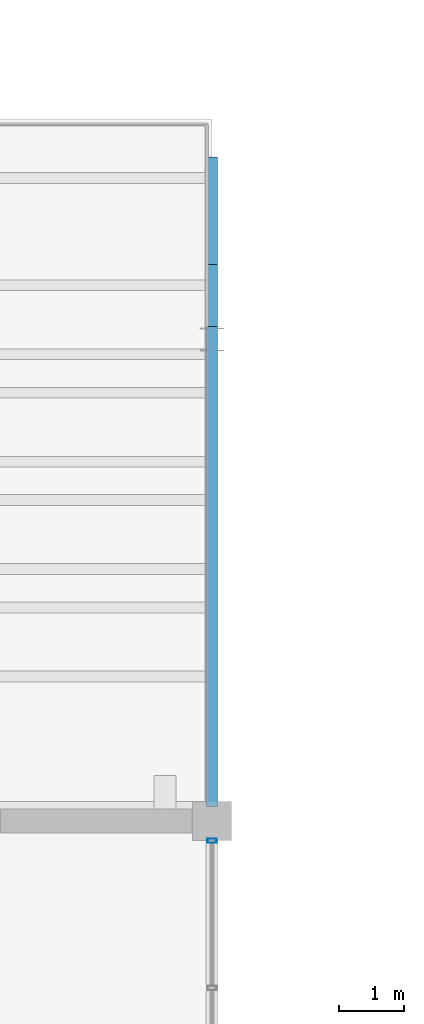
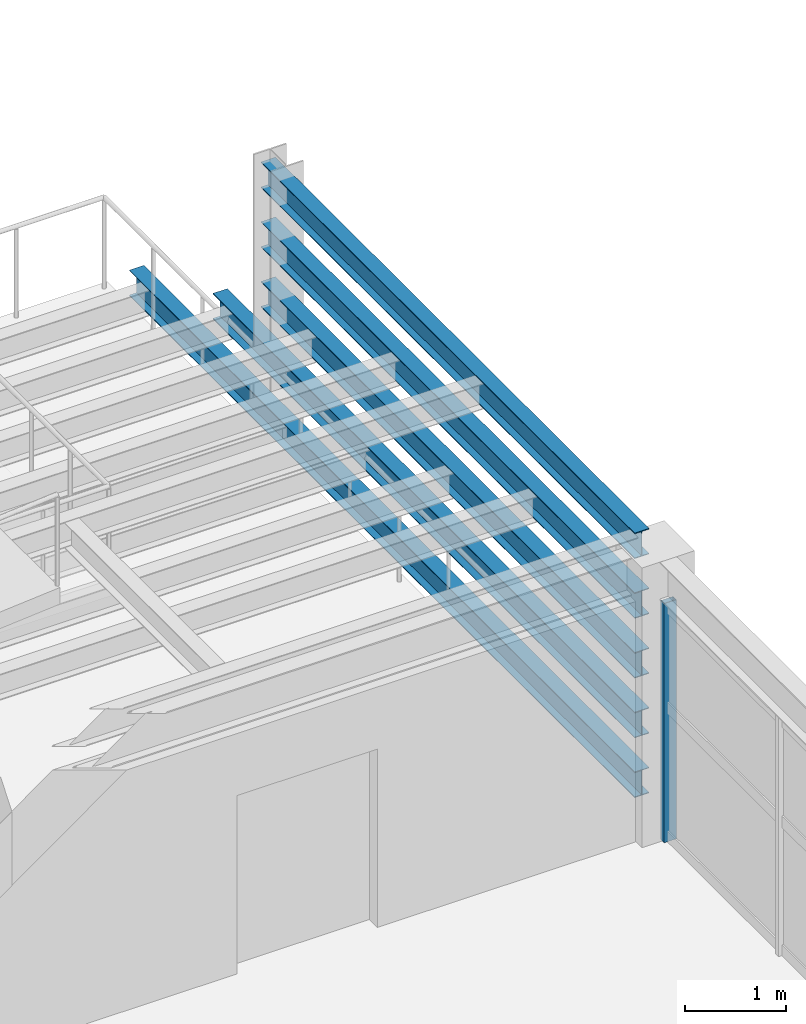
# One storey, part 45 of 121: 5 beams, 1 member, 1 element without a shape of its own.
"""IFC4 building model written with IfcOpenShell, lengths in metres."""

from ifc_helpers import new_model, si_unit, direction, frame, origin, origin_2d, place, context, subcontext, project, spatial, hollow_rectangle, i_section, extrude, material, material_profile, profile_set, type_object, element, aggregate, save


model = new_model("IFC4")

# Units and contexts
model_context = context("Model", 3, precision=1e-05, world=origin(), true_north=direction((0.0, 1.0)))
body_context = subcontext(model_context, "Body", "Model", "MODEL_VIEW")
ifc_project = project(units=[si_unit("LENGTHUNIT", "METRE"), si_unit("AREAUNIT", "SQUARE_METRE"), si_unit("VOLUMEUNIT", "CUBIC_METRE"), si_unit("PLANEANGLEUNIT", "RADIAN"), si_unit("MASSUNIT", "GRAM", prefix="KILO")], contexts=[model_context])

# Site, building, storey
site_placement = place(None, origin())
site = spatial("IfcSite", under=ifc_project, at=site_placement, CompositionType="ELEMENT")
building_placement = place(site_placement, origin())
building = spatial("IfcBuilding", under=site, at=building_placement, Name="Cimatlan Art Gallery", CompositionType="ELEMENT")
storey_placement = place(building_placement, frame((0.0, 0.0, 10.199951171875)))
storey = spatial("IfcBuildingStorey", under=building, at=storey_placement, Name="L02", CompositionType="ELEMENT", Elevation=10.199951171875)

# Beams
ifc_material_1 = material(Name="Steel ASTM A992 Grade 50", Category="steel")
ifc_material_profile_1 = material_profile(ifc_material_1, i_section(OverallWidth=0.1650390625, OverallDepth=0.31005859375, WebThickness=0.005859375, FlangeThickness=0.009765625, at=origin_2d()), Name="W12X26")
ifc_profile_set_1 = profile_set([ifc_material_profile_1], Name="Steel ASTM A992 Grade 50")
beam_type = type_object("IfcBeamType", Name="BM-STL-W12X26", PredefinedType="JOIST", material=ifc_profile_set_1)
beam_1_placement = place(storey_placement, frame((18.199951171875, 83.320068359375, 0.364990234375), z_axis=(0.0, 1.0, 0.0), x_axis=(-1.0, 0.0, 0.0)))
element("IfcBeam", 1, at=beam_1_placement, inside=storey, type_object=beam_type, Name="BM-RMP-TER-B1-L1-NSE", PredefinedType="JOIST", context=body_context, shape_type="SweptSolid", body=[
    extrude(i_section(OverallWidth=0.1650390625, OverallDepth=0.31005859375, WebThickness=0.005859375, FlangeThickness=0.009765625, at=origin_2d()), origin(), (0.0, 0.0, 1.0), 9.97998046875),
])
beam_2_placement = place(storey_placement, frame((18.199951171875, 83.320068359375, 1.0849609375), z_axis=(0.0, 1.0, 0.0), x_axis=(-1.0, 0.0, 0.0)))
element("IfcBeam", 2, at=beam_2_placement, inside=storey, type_object=beam_type, Name="BM-RMP-TER-B1-L2-NSE", PredefinedType="JOIST", context=body_context, shape_type="SweptSolid", body=[
    extrude(i_section(OverallWidth=0.1650390625, OverallDepth=0.31005859375, WebThickness=0.005859375, FlangeThickness=0.009765625, at=origin_2d()), origin(), (0.0, 0.0, 1.0), 8.329833984375),
])
for number, where, z_axis, x_axis, name in (
    (3, (18.199951171875, 83.320068359375, 1.804931640625), (0.0, 1.0, 0.0), (-1.0, 0.0, 0.0), "BM-RMP-TER-B1-L3-NSE"),
    (4, (18.199951171875, 83.320068359375, 2.525146484375), (0.0, 1.0, 0.0), (-1.0, 0.0, 0.0), "BM-RMP-TER-B1-L4-NSE"),
    (5, (18.199951171875, 83.320068359375, 3.2451171875), (0.0, 1.0, 0.0), (-1.0, 0.0, 0.0), "BM-RMP-TER-B1-L5-NSE"),
):
    element("IfcBeam", number, at=place(storey_placement, frame(where, z_axis=z_axis, x_axis=x_axis)), inside=storey, type_object=beam_type, Name=name, PredefinedType="JOIST", context=body_context, shape_type="SweptSolid", body=[
        extrude(i_section(OverallWidth=0.1650390625, OverallDepth=0.31005859375, WebThickness=0.005859375, FlangeThickness=0.009765625, at=origin_2d()), origin(), (0.0, 0.0, 1.0), 7.3798828125),
    ])

# Curtain wall, member
ifc_material_2 = material(Name="Anodised bronze unitised curtain wall")
curtain_wall_type = type_object("IfcCurtainWallType", Name="CW-V-06792X02883-B3", PredefinedType="NOTDEFINED", material=ifc_material_2)
curtain_wall_placement = place(storey_placement, origin())
curtain_wall = element("IfcCurtainWall", 6, at=curtain_wall_placement, inside=storey, type_object=curtain_wall_type, Name="CW-L02-01-10-E", PredefinedType="NOTDEFINED")
ifc_material_3 = material(Name="Anodised bronze aluminium 6063-T6", Category="aluminium")
ifc_material_profile_2 = material_profile(ifc_material_3, hollow_rectangle(XDim=0.06494140625, YDim=0.139892578125, WallThickness=0.00390625, at=origin_2d()), Name="ALU65X140X4")
ifc_profile_set_2 = profile_set([ifc_material_profile_2], Name="Anodised bronze aluminium 6063-T6")
member_type = type_object("IfcMemberType", Name="CW-MUL-140", PredefinedType="MULLION", material=ifc_profile_set_2)
member_placement = place(storey_placement, frame((18.199951171875, 82.7958984375, 0.0), z_axis=(0.0, 0.0, 1.0), x_axis=(0.0, 1.0, 0.0)))
member = element("IfcMember", 7, at=member_placement, type_object=member_type, Name="CW-L02-01-10-E-M1", PredefinedType="MULLION", context=body_context, shape_type="SweptSolid", body=[
    extrude(hollow_rectangle(XDim=0.06494140625, YDim=0.139892578125, WallThickness=0.00390625, at=origin_2d()), origin(), (0.0, 0.0, 1.0), 2.883056640625),
])
aggregate(curtain_wall, [member])

save(model, "model.ifc")
